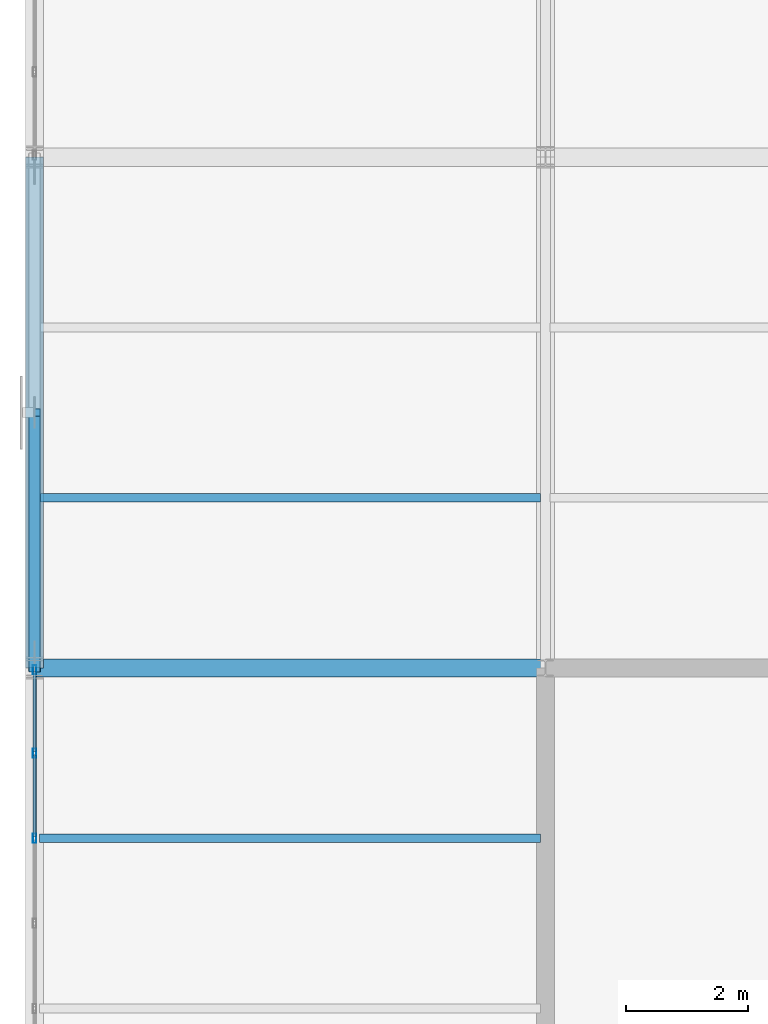
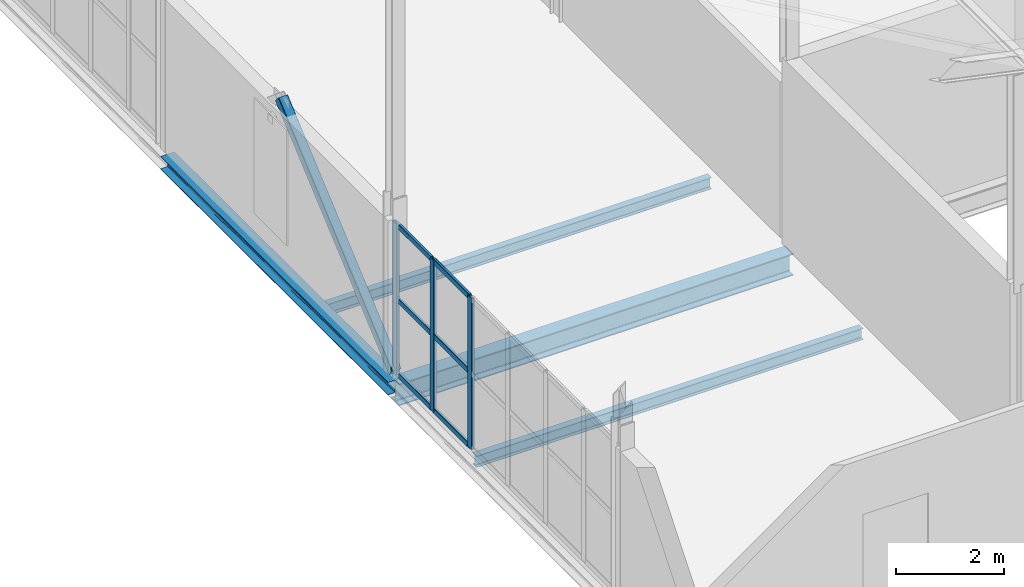
# One storey, part 102 of 184: 10 members, 4 beams, 1 element without a shape of its own.
"""IFC4 building model written with IfcOpenShell, lengths in metres."""

import ifcopenshell
import ifcopenshell.guid

model = None  # the IFC model being written
_history = None  # IfcOwnerHistory: only IFC2X3 demands one
_inside = {}  # id of a spatial element -> (the spatial element, [elements in it])
_under = {}  # id of a project, library or spatial element -> (it, [spatial elements below it])
_declared = {}  # id of a project -> (the project, [libraries it declares])
_typed = {}  # id of a type object -> (the type object, [elements of that type])
_made_of = {}  # id of a material, layer set ... -> (it, [elements and type objects made of it])


def new_model(schema):
    """Start an empty IFC model of exactly this schema.

    Asked for "IFC4X3", IfcOpenShell would pick the latest addendum, in which some entities
    have other attributes; the version numbers below select the first issue.
    IFC2X3 requires an IfcOwnerHistory on every rooted entity: one is made here for all.
    """
    global model, _history
    if schema == "IFC4X3":
        model = ifcopenshell.file(schema_version=(4, 3, 0, 0))
    else:
        model = ifcopenshell.file(schema=schema)
    _inside.clear()
    _under.clear()
    _declared.clear()
    _typed.clear()
    _made_of.clear()
    _history = None
    if model.schema == "IFC2X3":
        org = make("IfcOrganization", Name="unknown")
        user = make(
            "IfcPersonAndOrganization",
            ThePerson=make("IfcPerson", FamilyName="unknown"),
            TheOrganization=org,
        )
        app = make(
            "IfcApplication",
            ApplicationDeveloper=org,
            Version="unknown",
            ApplicationFullName="unknown",
            ApplicationIdentifier="unknown",
        )
        _history = make(
            "IfcOwnerHistory",
            OwningUser=user,
            OwningApplication=app,
            ChangeAction="ADDED",
            CreationDate=0,
        )
    return model


def make(cls, **values):
    """One entity of the class cls with the attributes given. An attribute that is None is left unset."""
    return model.create_entity(
        cls, **{name: value for name, value in values.items() if value is not None}
    )


def rooted(cls, **values):
    """An entity with a GlobalId (a new one), such as an element, a storey or a relation."""
    return make(cls, GlobalId=ifcopenshell.guid.new(), OwnerHistory=_history, **values)


def si_unit(unit_type, name, prefix=None):
    """IfcSIUnit, for example si_unit("LENGTHUNIT", "METRE", prefix="MILLI")."""
    return make("IfcSIUnit", UnitType=unit_type, Prefix=prefix, Name=name)


def assignment(units):
    """IfcUnitAssignment: the units of a project."""
    return None if units is None else make("IfcUnitAssignment", Units=units)


def point(xyz):
    """IfcCartesianPoint."""
    return None if xyz is None else make("IfcCartesianPoint", Coordinates=xyz)


def direction(xyz):
    """IfcDirection."""
    return None if xyz is None else make("IfcDirection", DirectionRatios=xyz)


def frame(location, z_axis=None, x_axis=None):
    """IfcAxis2Placement3D, a coordinate frame: its origin and axes. An axis left out is left unset."""
    return make(
        "IfcAxis2Placement3D",
        Location=point(location),
        Axis=direction(z_axis),
        RefDirection=direction(x_axis),
    )


def frame_2d(location, x_axis=None):
    """IfcAxis2Placement2D, a coordinate frame in the plane: its origin and x axis."""
    return make(
        "IfcAxis2Placement2D", Location=point(location), RefDirection=direction(x_axis)
    )


def origin():
    """The frame at (0, 0, 0) with its axes left unset."""
    return frame((0.0, 0.0, 0.0))


def origin_2d():
    """The frame at (0, 0) in the plane with its x axis left unset."""
    return frame_2d((0.0, 0.0))


def place(relative_to, where):
    """IfcLocalPlacement: puts the frame where relative to a parent placement (None: the world)."""
    return make(
        "IfcLocalPlacement", PlacementRelTo=relative_to, RelativePlacement=where
    )


def context(
    kind, dimensions, precision=None, world=None, true_north=None, identifier=None
):
    """IfcGeometricRepresentationContext, for example the 3D "Model" context."""
    return make(
        "IfcGeometricRepresentationContext",
        ContextIdentifier=identifier,
        ContextType=kind,
        CoordinateSpaceDimension=dimensions,
        Precision=precision,
        WorldCoordinateSystem=world,
        TrueNorth=true_north,
    )


def subcontext(parent, identifier, kind, view, scale=None):
    """IfcGeometricRepresentationSubContext, for example "Body" below "Model"."""
    return make(
        "IfcGeometricRepresentationSubContext",
        ContextIdentifier=identifier,
        ContextType=kind,
        ParentContext=parent,
        TargetScale=scale,
        TargetView=view,
    )


def project(units=None, contexts=None):
    """IfcProject with its units and contexts."""
    return rooted(
        "IfcProject",
        Name="project",
        RepresentationContexts=contexts,
        UnitsInContext=assignment(units),
    )


def spatial(cls, under=None, at=None, **own):
    """A site, building, storey or space (cls), placed at a placement, below another one or the project."""
    s = rooted(cls, ObjectPlacement=at, **own)
    if under is not None:
        _under.setdefault(under.id(), (under, []))[1].append(s)
    return s


def profile(cls, at=None, kind="AREA", **sizes):
    """A parametric profile (cls). Its sizes go by their IFC names, for example OverallWidth=200.0."""
    return make(cls, ProfileType=kind, Position=at, **sizes)


def hollow_rectangle(**sizes):
    """IfcRectangleHollowProfileDef."""
    return profile("IfcRectangleHollowProfileDef", **sizes)


def i_section(**sizes):
    """IfcIShapeProfileDef."""
    return profile("IfcIShapeProfileDef", **sizes)


def extrude(swept, where, along, depth):
    """IfcExtrudedAreaSolid: the profile swept, set in the frame where, extruded along a direction by depth."""
    return make(
        "IfcExtrudedAreaSolid",
        SweptArea=swept,
        Position=where,
        ExtrudedDirection=direction(along),
        Depth=depth,
    )


def shape(context_of_items, identifier, shape_type, items):
    """IfcShapeRepresentation: the items that make up one representation, for example the "Body"."""
    return make(
        "IfcShapeRepresentation",
        ContextOfItems=context_of_items,
        RepresentationIdentifier=identifier,
        RepresentationType=shape_type,
        Items=items,
    )


def material(Name=None, Category=None):
    """IfcMaterial."""
    return make("IfcMaterial", Name=Name, Category=Category)


def layer(
    of_material, thickness, ventilated=None, Name=None, Category=None, Priority=None
):
    """IfcMaterialLayer: one layer of a wall or slab, of a material (None: an air gap)."""
    return make(
        "IfcMaterialLayer",
        Material=of_material,
        LayerThickness=thickness,
        IsVentilated=ventilated,
        Name=Name,
        Category=Category,
        Priority=Priority,
    )


def layer_set(layers, Name=None):
    """IfcMaterialLayerSet."""
    return make("IfcMaterialLayerSet", MaterialLayers=layers, LayerSetName=Name)


def material_profile(
    of_material, cross_section, Name=None, Category=None, Priority=None
):
    """IfcMaterialProfile: a cross section and its material."""
    return make(
        "IfcMaterialProfile",
        Name=Name,
        Material=of_material,
        Profile=cross_section,
        Priority=Priority,
        Category=Category,
    )


def profile_set(profiles, Name=None, composite=None):
    """IfcMaterialProfileSet."""
    return make(
        "IfcMaterialProfileSet",
        Name=Name,
        MaterialProfiles=profiles,
        CompositeProfile=composite,
    )


def made_of(thing, what):
    """Note that an element or type object is made of a material, layer set ...; save() writes the relation."""
    if what is not None:
        _made_of.setdefault(what.id(), (what, []))[1].append(thing)
    return thing


def type_object(cls, material=None, **own):
    """A type object (cls), such as IfcWallType, which elements share."""
    return made_of(rooted(cls, **own), material)


def element(
    cls,
    number,
    at=None,
    inside=None,
    cuts=None,
    type_object=None,
    material=None,
    context=None,
    identifier="Body",
    shape_type=None,
    held_by="IfcProductDefinitionShape",
    body=None,
    shapes=None,
    **own,
):
    """One element of the class cls, such as IfcWall. Its Tag is "e" and its number.

    at: its placement. inside: the storey or other place that contains it. cuts: it is an
    opening in that element (IfcRelVoidsElement). A single representation is given by context,
    identifier, shape_type and body (its items); several are given by shapes. held_by: the class
    of the entity that holds the representations. save() writes the other relations.
    """
    e = rooted(cls, Tag="e%d" % number, ObjectPlacement=at, **own)
    if body is not None:
        shapes = [shape(context, identifier, shape_type, body)]
    if shapes is not None:
        e.Representation = make(held_by, Representations=shapes)
    if inside is not None:
        _inside.setdefault(inside.id(), (inside, []))[1].append(e)
    if cuts is not None:
        rooted(
            "IfcRelVoidsElement", RelatingBuildingElement=cuts, RelatedOpeningElement=e
        )
    if type_object is not None:
        _typed.setdefault(type_object.id(), (type_object, []))[1].append(e)
    return made_of(e, material)


def aggregate(whole, parts):
    """IfcRelAggregates: a whole, such as a stair, and the parts it consists of."""
    return rooted("IfcRelAggregates", RelatingObject=whole, RelatedObjects=parts)


def save(model, path):
    """Write the relations noted so far, then the file.

    IfcRelAggregates (storeys below a building ...), IfcRelContainedInSpatialStructure (elements
    in a storey), IfcRelDefinesByType, IfcRelAssociatesMaterial and IfcRelDeclares: one each for
    every whole, place, type object, material and project.
    """
    for whole, parts in _under.values():
        aggregate(whole, parts)
    for where, things in _inside.values():
        rooted(
            "IfcRelContainedInSpatialStructure",
            RelatedElements=things,
            RelatingStructure=where,
        )
    for kind, things in _typed.values():
        rooted("IfcRelDefinesByType", RelatedObjects=things, RelatingType=kind)
    for what, things in _made_of.values():
        rooted("IfcRelAssociatesMaterial", RelatedObjects=things, RelatingMaterial=what)
    for by, libraries in _declared.values():
        rooted("IfcRelDeclares", RelatingContext=by, RelatedDefinitions=libraries)
    model.write(path)


model = new_model("IFC4")

# Units and contexts
model_context = context("Model", 3, precision=1e-05, world=origin(), true_north=direction((0.0, 1.0)))
body_context = subcontext(model_context, "Body", "Model", "MODEL_VIEW")
ifc_project = project(units=[si_unit("LENGTHUNIT", "METRE"), si_unit("AREAUNIT", "SQUARE_METRE"), si_unit("VOLUMEUNIT", "CUBIC_METRE"), si_unit("PLANEANGLEUNIT", "RADIAN"), si_unit("MASSUNIT", "GRAM", prefix="KILO")], contexts=[model_context])

# Site, building, storey
site_placement = place(None, origin())
site = spatial("IfcSite", under=ifc_project, at=site_placement, CompositionType="ELEMENT")
building_placement = place(site_placement, origin())
building = spatial("IfcBuilding", under=site, at=building_placement, Name="Qalvenar Corner Mobility Hub", CompositionType="ELEMENT")
storey_placement = place(building_placement, frame((0.0, 0.0, 9.0)))
storey = spatial("IfcBuildingStorey", under=building, at=storey_placement, Name="L02", CompositionType="ELEMENT", Elevation=9.0)

# Beams
ifc_material_1 = material(Name="Steel S355", Category="steel")
ifc_material_profile_1 = material_profile(ifc_material_1, i_section(OverallWidth=0.300048828125, OverallDepth=0.489990234375, WebThickness=0.011962890625, FlangeThickness=0.02294921875, FilletRadius=0.027099609375, at=origin_2d()), Name="HEA500")
ifc_profile_set_1 = profile_set([ifc_material_profile_1], Name="Steel S355")
beam_type_1 = type_object("IfcBeamType", Name="BM-HEA500", PredefinedType="BEAM", material=ifc_profile_set_1)
beam_1_placement = place(storey_placement, frame((0.0, 67.199951171875, -0.425048828125), z_axis=(1.0, 0.0, 0.0), x_axis=(0.0, 1.0, 0.0)))
element("IfcBeam", 1, at=beam_1_placement, inside=storey, type_object=beam_type_1, Name="Primary Steel Girder GX-1827", PredefinedType="BEAM", context=body_context, shape_type="SweptSolid", body=[
    extrude(i_section(OverallWidth=0.300048828125, OverallDepth=0.489990234375, WebThickness=0.011962890625, FlangeThickness=0.02294921875, FilletRadius=0.027099609375, at=origin_2d()), origin(), (0.0, 0.0, 1.0), 8.39990234375),
])
ifc_material_profile_2 = material_profile(ifc_material_1, i_section(OverallWidth=0.14599609375, OverallDepth=0.258056640625, WebThickness=0.006103515625, FlangeThickness=0.009033203125, FilletRadius=0.011962890625, at=origin_2d()), Name="W250x32.7")
ifc_profile_set_2 = profile_set([ifc_material_profile_2], Name="Steel S355")
beam_type_2 = type_object("IfcBeamType", Name="BM-JST250", PredefinedType="JOIST", material=ifc_profile_set_2)
for number, where, z_axis, x_axis, name in (
    (2, (0.077880859375, 64.39990234375, -0.30908203125), (1.0, 0.0, 0.0), (0.0, 1.0, 0.0), "Composite Floor Joist J-1869"),
    (3, (0.077880859375, 70.0, -0.30908203125), (1.0, 0.0, 0.0), (0.0, 1.0, 0.0), "Composite Floor Joist J-1870"),
):
    element("IfcBeam", number, at=place(storey_placement, frame(where, z_axis=z_axis, x_axis=x_axis)), inside=storey, type_object=beam_type_2, Name=name, PredefinedType="JOIST", context=body_context, shape_type="SweptSolid", body=[
        extrude(i_section(OverallWidth=0.14599609375, OverallDepth=0.258056640625, WebThickness=0.006103515625, FlangeThickness=0.009033203125, FilletRadius=0.011962890625, at=origin_2d()), origin(), (0.0, 0.0, 1.0), 8.244140625),
    ])
ifc_material_profile_3 = material_profile(ifc_material_1, i_section(OverallWidth=0.300048828125, OverallDepth=0.2900390625, WebThickness=0.008544921875, FlangeThickness=0.013916015625, FilletRadius=0.027099609375, at=origin_2d()), Name="HEA300")
ifc_profile_set_3 = profile_set([ifc_material_profile_3], Name="Steel S355")
beam_type_3 = type_object("IfcBeamType", Name="BM-SPN300", PredefinedType="SPANDREL", material=ifc_profile_set_3)
beam_2_placement = place(storey_placement, frame((0.0, 67.199951171875, -0.324951171875), z_axis=(0.0, 1.0, 0.0), x_axis=(-1.0, 0.0, 0.0)))
element("IfcBeam", 4, at=beam_2_placement, inside=storey, type_object=beam_type_3, Name="Primary Steel Girder GY-1842", PredefinedType="SPANDREL", context=body_context, shape_type="SweptSolid", body=[
    extrude(i_section(OverallWidth=0.300048828125, OverallDepth=0.2900390625, WebThickness=0.008544921875, FlangeThickness=0.013916015625, FilletRadius=0.027099609375, at=origin_2d()), origin(), (0.0, 0.0, 1.0), 8.400146484375),
])

# Member
ifc_material_profile_4 = material_profile(ifc_material_1, hollow_rectangle(XDim=0.199951171875, YDim=0.199951171875, WallThickness=0.008056640625, InnerFilletRadius=0.008056640625, OuterFilletRadius=0.01611328125, at=origin_2d()), Name="SHS200x200x8")
ifc_profile_set_4 = profile_set([ifc_material_profile_4], Name="Steel S355")
member_type_1 = type_object("IfcMemberType", Name="BR-RHS200", PredefinedType="BRACE", material=ifc_profile_set_4)
member_1_placement = place(storey_placement, frame((0.0, 67.199951171875, 0.02001953125), z_axis=(0.0, 0.757479038629, 0.652859484145), x_axis=(-1.0, 0.0, 0.0)))
element("IfcMember", 5, at=member_1_placement, inside=storey, type_object=member_type_1, Name="Chevron Lateral Brace BR-051", PredefinedType="BRACE", context=body_context, shape_type="SweptSolid", body=[
    extrude(hollow_rectangle(XDim=0.199951171875, YDim=0.199951171875, WallThickness=0.008056640625, InnerFilletRadius=0.008056640625, OuterFilletRadius=0.01611328125, at=origin_2d()), origin(), (0.0, 0.0, 1.0), 5.544677734375),
])

# Curtain wall, members
ifc_material_2 = material(Name="Anodised Aluminium and Low-E Glazing", Category="aluminium")
ifc_layer = layer(ifc_material_2, 0.14990234375)
ifc_layer_set = layer_set([ifc_layer], Name="Anodised Aluminium and Low-E Glazing")
curtain_wall_type = type_object("IfcCurtainWallType", Name="CW-CYC-84X39", PredefinedType="NOTDEFINED", material=ifc_layer_set)
curtain_wall_placement = place(storey_placement, origin())
curtain_wall = element("IfcCurtainWall", 6, at=curtain_wall_placement, inside=storey, type_object=curtain_wall_type, Name="Glazed Curtain Wall CW-V5-L02-W2", PredefinedType="NOTDEFINED")
ifc_material_3 = material(Name="Anodised Aluminium 6063-T6", Category="aluminium")
ifc_material_profile_5 = material_profile(ifc_material_3, hollow_rectangle(XDim=0.06005859375, YDim=0.14990234375, WallThickness=0.00390625, InnerFilletRadius=0.00390625, OuterFilletRadius=0.008056640625, at=origin_2d()), Name="RHS150x60x4")
ifc_profile_set_5 = profile_set([ifc_material_profile_5], Name="Anodised Aluminium 6063-T6")
member_type_2 = type_object("IfcMemberType", Name="CW-MUL150", PredefinedType="MULLION", material=ifc_profile_set_5)
member_2_placement = place(storey_placement, frame((0.0, 67.169921875, 0.0), z_axis=(0.0, 0.0, 1.0), x_axis=(1.0, 0.0, 0.0)))
member_2 = element("IfcMember", 7, at=member_2_placement, type_object=member_type_2, Name="CW-08 mullion 1", PredefinedType="MULLION", context=body_context, shape_type="SweptSolid", body=[
    extrude(hollow_rectangle(XDim=0.06005859375, YDim=0.14990234375, WallThickness=0.00390625, InnerFilletRadius=0.00390625, OuterFilletRadius=0.008056640625, at=origin_2d()), origin(), (0.0, 0.0, 1.0), 3.409912109375),
])
member_3_placement = place(storey_placement, frame((0.0, 65.800048828125, 0.0), z_axis=(0.0, 0.0, 1.0), x_axis=(1.0, 0.0, 0.0)))
member_3 = element("IfcMember", 8, at=member_3_placement, type_object=member_type_2, Name="CW-08 mullion 2", PredefinedType="MULLION", context=body_context, shape_type="SweptSolid", body=[
    extrude(hollow_rectangle(XDim=0.06005859375, YDim=0.14990234375, WallThickness=0.00390625, InnerFilletRadius=0.00390625, OuterFilletRadius=0.008056640625, at=origin_2d()), origin(), (0.0, 0.0, 1.0), 3.409912109375),
])
member_4_placement = place(storey_placement, frame((0.0, 64.39990234375, 0.0), z_axis=(0.0, 0.0, 1.0), x_axis=(1.0, 0.0, 0.0)))
member_4 = element("IfcMember", 9, at=member_4_placement, type_object=member_type_2, Name="CW-08 mullion 3", PredefinedType="MULLION", context=body_context, shape_type="SweptSolid", body=[
    extrude(hollow_rectangle(XDim=0.06005859375, YDim=0.14990234375, WallThickness=0.00390625, InnerFilletRadius=0.00390625, OuterFilletRadius=0.008056640625, at=origin_2d()), origin(), (0.0, 0.0, 1.0), 3.409912109375),
])
ifc_material_profile_6 = material_profile(ifc_material_3, hollow_rectangle(XDim=0.054931640625, YDim=0.1201171875, WallThickness=0.00341796875, InnerFilletRadius=0.00341796875, OuterFilletRadius=0.007080078125, at=origin_2d()), Name="RHS120x55x3.5")
ifc_profile_set_6 = profile_set([ifc_material_profile_6], Name="Anodised Aluminium 6063-T6")
member_type_3 = type_object("IfcMemberType", Name="CW-TRN120", PredefinedType="USERDEFINED", material=ifc_profile_set_6)
member_5_placement = place(storey_placement, frame((0.0, 67.139892578125, 0.027587890625), z_axis=(0.0, -1.0, 0.0), x_axis=(1.0, 0.0, 0.0)))
member_5 = element("IfcMember", 10, at=member_5_placement, type_object=member_type_3, Name="CW-08 transom 1.1", ObjectType="TRANSOM", PredefinedType="USERDEFINED", context=body_context, shape_type="SweptSolid", body=[
    extrude(hollow_rectangle(XDim=0.054931640625, YDim=0.1201171875, WallThickness=0.00341796875, InnerFilletRadius=0.00341796875, OuterFilletRadius=0.007080078125, at=origin_2d()), origin(), (0.0, 0.0, 1.0), 1.309814453125),
])
member_6_placement = place(storey_placement, frame((0.0, 67.139892578125, 1.705078125), z_axis=(0.0, -1.0, 0.0), x_axis=(1.0, 0.0, 0.0)))
member_6 = element("IfcMember", 11, at=member_6_placement, type_object=member_type_3, Name="CW-08 transom 1.2", ObjectType="TRANSOM", PredefinedType="USERDEFINED", context=body_context, shape_type="SweptSolid", body=[
    extrude(hollow_rectangle(XDim=0.054931640625, YDim=0.1201171875, WallThickness=0.00341796875, InnerFilletRadius=0.00341796875, OuterFilletRadius=0.007080078125, at=origin_2d()), origin(), (0.0, 0.0, 1.0), 1.309814453125),
])
member_7_placement = place(storey_placement, frame((0.0, 67.139892578125, 3.382568359375), z_axis=(0.0, -1.0, 0.0), x_axis=(1.0, 0.0, 0.0)))
member_7 = element("IfcMember", 12, at=member_7_placement, type_object=member_type_3, Name="CW-08 transom 1.3", ObjectType="TRANSOM", PredefinedType="USERDEFINED", context=body_context, shape_type="SweptSolid", body=[
    extrude(hollow_rectangle(XDim=0.054931640625, YDim=0.1201171875, WallThickness=0.00341796875, InnerFilletRadius=0.00341796875, OuterFilletRadius=0.007080078125, at=origin_2d()), origin(), (0.0, 0.0, 1.0), 1.309814453125),
])
member_8_placement = place(storey_placement, frame((0.0, 65.77001953125, 0.027587890625), z_axis=(0.0, -1.0, 0.0), x_axis=(1.0, 0.0, 0.0)))
member_8 = element("IfcMember", 13, at=member_8_placement, type_object=member_type_3, Name="CW-08 transom 2.1", ObjectType="TRANSOM", PredefinedType="USERDEFINED", context=body_context, shape_type="SweptSolid", body=[
    extrude(hollow_rectangle(XDim=0.054931640625, YDim=0.1201171875, WallThickness=0.00341796875, InnerFilletRadius=0.00341796875, OuterFilletRadius=0.007080078125, at=origin_2d()), origin(), (0.0, 0.0, 1.0), 1.340087890625),
])
member_9_placement = place(storey_placement, frame((0.0, 65.77001953125, 1.705078125), z_axis=(0.0, -1.0, 0.0), x_axis=(1.0, 0.0, 0.0)))
member_9 = element("IfcMember", 14, at=member_9_placement, type_object=member_type_3, Name="CW-08 transom 2.2", ObjectType="TRANSOM", PredefinedType="USERDEFINED", context=body_context, shape_type="SweptSolid", body=[
    extrude(hollow_rectangle(XDim=0.054931640625, YDim=0.1201171875, WallThickness=0.00341796875, InnerFilletRadius=0.00341796875, OuterFilletRadius=0.007080078125, at=origin_2d()), origin(), (0.0, 0.0, 1.0), 1.340087890625),
])
member_10_placement = place(storey_placement, frame((0.0, 65.77001953125, 3.382568359375), z_axis=(0.0, -1.0, 0.0), x_axis=(1.0, 0.0, 0.0)))
member_10 = element("IfcMember", 15, at=member_10_placement, type_object=member_type_3, Name="CW-08 transom 2.3", ObjectType="TRANSOM", PredefinedType="USERDEFINED", context=body_context, shape_type="SweptSolid", body=[
    extrude(hollow_rectangle(XDim=0.054931640625, YDim=0.1201171875, WallThickness=0.00341796875, InnerFilletRadius=0.00341796875, OuterFilletRadius=0.007080078125, at=origin_2d()), origin(), (0.0, 0.0, 1.0), 1.340087890625),
])
aggregate(curtain_wall, [member_2, member_3, member_4, member_5, member_6, member_7, member_8, member_9, member_10])

save(model, "model.ifc")
